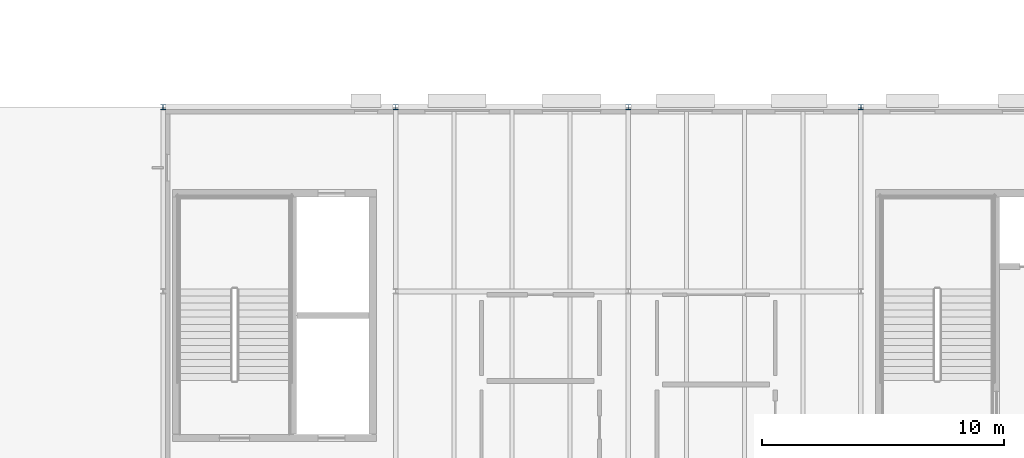
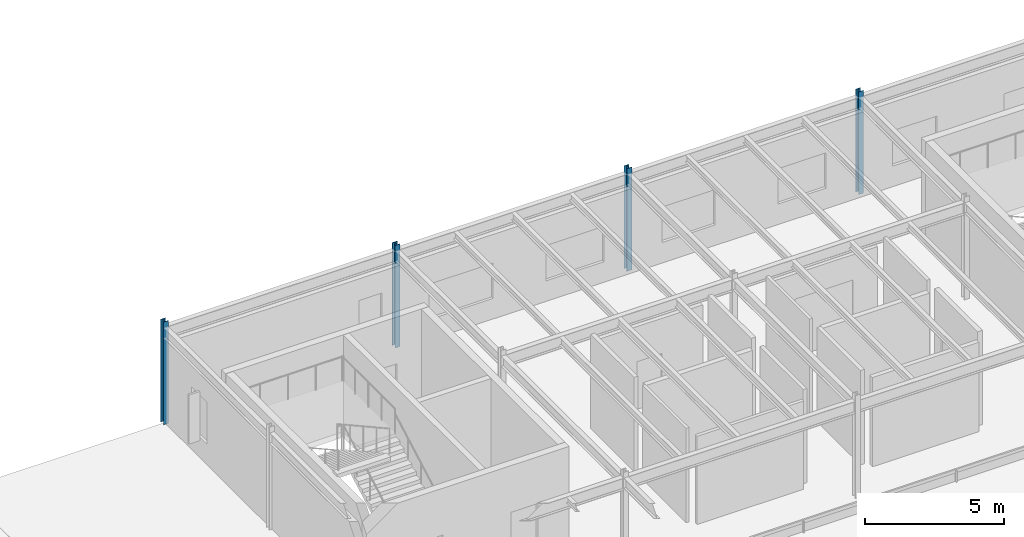
# One storey, part 4 of 50: 4 columns.
"""IFC4 building model written with IfcOpenShell, lengths in metres."""

import ifcopenshell
import ifcopenshell.guid

model = None  # the IFC model being written
_history = None  # IfcOwnerHistory: only IFC2X3 demands one
_inside = {}  # id of a spatial element -> (the spatial element, [elements in it])
_under = {}  # id of a project, library or spatial element -> (it, [spatial elements below it])
_declared = {}  # id of a project -> (the project, [libraries it declares])
_typed = {}  # id of a type object -> (the type object, [elements of that type])
_made_of = {}  # id of a material, layer set ... -> (it, [elements and type objects made of it])


def new_model(schema):
    """Start an empty IFC model of exactly this schema.

    Asked for "IFC4X3", IfcOpenShell would pick the latest addendum, in which some entities
    have other attributes; the version numbers below select the first issue.
    IFC2X3 requires an IfcOwnerHistory on every rooted entity: one is made here for all.
    """
    global model, _history
    if schema == "IFC4X3":
        model = ifcopenshell.file(schema_version=(4, 3, 0, 0))
    else:
        model = ifcopenshell.file(schema=schema)
    _inside.clear()
    _under.clear()
    _declared.clear()
    _typed.clear()
    _made_of.clear()
    _history = None
    if model.schema == "IFC2X3":
        org = make("IfcOrganization", Name="unknown")
        user = make(
            "IfcPersonAndOrganization",
            ThePerson=make("IfcPerson", FamilyName="unknown"),
            TheOrganization=org,
        )
        app = make(
            "IfcApplication",
            ApplicationDeveloper=org,
            Version="unknown",
            ApplicationFullName="unknown",
            ApplicationIdentifier="unknown",
        )
        _history = make(
            "IfcOwnerHistory",
            OwningUser=user,
            OwningApplication=app,
            ChangeAction="ADDED",
            CreationDate=0,
        )
    return model


def make(cls, **values):
    """One entity of the class cls with the attributes given. An attribute that is None is left unset."""
    return model.create_entity(
        cls, **{name: value for name, value in values.items() if value is not None}
    )


def rooted(cls, **values):
    """An entity with a GlobalId (a new one), such as an element, a storey or a relation."""
    return make(cls, GlobalId=ifcopenshell.guid.new(), OwnerHistory=_history, **values)


def si_unit(unit_type, name, prefix=None):
    """IfcSIUnit, for example si_unit("LENGTHUNIT", "METRE", prefix="MILLI")."""
    return make("IfcSIUnit", UnitType=unit_type, Prefix=prefix, Name=name)


def assignment(units):
    """IfcUnitAssignment: the units of a project."""
    return None if units is None else make("IfcUnitAssignment", Units=units)


def point(xyz):
    """IfcCartesianPoint."""
    return None if xyz is None else make("IfcCartesianPoint", Coordinates=xyz)


def direction(xyz):
    """IfcDirection."""
    return None if xyz is None else make("IfcDirection", DirectionRatios=xyz)


def frame(location, z_axis=None, x_axis=None):
    """IfcAxis2Placement3D, a coordinate frame: its origin and axes. An axis left out is left unset."""
    return make(
        "IfcAxis2Placement3D",
        Location=point(location),
        Axis=direction(z_axis),
        RefDirection=direction(x_axis),
    )


def frame_2d(location, x_axis=None):
    """IfcAxis2Placement2D, a coordinate frame in the plane: its origin and x axis."""
    return make(
        "IfcAxis2Placement2D", Location=point(location), RefDirection=direction(x_axis)
    )


def origin():
    """The frame at (0, 0, 0) with its axes left unset."""
    return frame((0.0, 0.0, 0.0))


def origin_2d():
    """The frame at (0, 0) in the plane with its x axis left unset."""
    return frame_2d((0.0, 0.0))


def place(relative_to, where):
    """IfcLocalPlacement: puts the frame where relative to a parent placement (None: the world)."""
    return make(
        "IfcLocalPlacement", PlacementRelTo=relative_to, RelativePlacement=where
    )


def context(
    kind, dimensions, precision=None, world=None, true_north=None, identifier=None
):
    """IfcGeometricRepresentationContext, for example the 3D "Model" context."""
    return make(
        "IfcGeometricRepresentationContext",
        ContextIdentifier=identifier,
        ContextType=kind,
        CoordinateSpaceDimension=dimensions,
        Precision=precision,
        WorldCoordinateSystem=world,
        TrueNorth=true_north,
    )


def subcontext(parent, identifier, kind, view, scale=None):
    """IfcGeometricRepresentationSubContext, for example "Body" below "Model"."""
    return make(
        "IfcGeometricRepresentationSubContext",
        ContextIdentifier=identifier,
        ContextType=kind,
        ParentContext=parent,
        TargetScale=scale,
        TargetView=view,
    )


def project(units=None, contexts=None):
    """IfcProject with its units and contexts."""
    return rooted(
        "IfcProject",
        Name="project",
        RepresentationContexts=contexts,
        UnitsInContext=assignment(units),
    )


def spatial(cls, under=None, at=None, **own):
    """A site, building, storey or space (cls), placed at a placement, below another one or the project."""
    s = rooted(cls, ObjectPlacement=at, **own)
    if under is not None:
        _under.setdefault(under.id(), (under, []))[1].append(s)
    return s


def profile(cls, at=None, kind="AREA", **sizes):
    """A parametric profile (cls). Its sizes go by their IFC names, for example OverallWidth=200.0."""
    return make(cls, ProfileType=kind, Position=at, **sizes)


def i_section(**sizes):
    """IfcIShapeProfileDef."""
    return profile("IfcIShapeProfileDef", **sizes)


def extrude(swept, where, along, depth):
    """IfcExtrudedAreaSolid: the profile swept, set in the frame where, extruded along a direction by depth."""
    return make(
        "IfcExtrudedAreaSolid",
        SweptArea=swept,
        Position=where,
        ExtrudedDirection=direction(along),
        Depth=depth,
    )


def shape(context_of_items, identifier, shape_type, items):
    """IfcShapeRepresentation: the items that make up one representation, for example the "Body"."""
    return make(
        "IfcShapeRepresentation",
        ContextOfItems=context_of_items,
        RepresentationIdentifier=identifier,
        RepresentationType=shape_type,
        Items=items,
    )


def material(Name=None, Category=None):
    """IfcMaterial."""
    return make("IfcMaterial", Name=Name, Category=Category)


def material_profile(
    of_material, cross_section, Name=None, Category=None, Priority=None
):
    """IfcMaterialProfile: a cross section and its material."""
    return make(
        "IfcMaterialProfile",
        Name=Name,
        Material=of_material,
        Profile=cross_section,
        Priority=Priority,
        Category=Category,
    )


def profile_set(profiles, Name=None, composite=None):
    """IfcMaterialProfileSet."""
    return make(
        "IfcMaterialProfileSet",
        Name=Name,
        MaterialProfiles=profiles,
        CompositeProfile=composite,
    )


def made_of(thing, what):
    """Note that an element or type object is made of a material, layer set ...; save() writes the relation."""
    if what is not None:
        _made_of.setdefault(what.id(), (what, []))[1].append(thing)
    return thing


def type_object(cls, material=None, **own):
    """A type object (cls), such as IfcWallType, which elements share."""
    return made_of(rooted(cls, **own), material)


def element(
    cls,
    number,
    at=None,
    inside=None,
    cuts=None,
    type_object=None,
    material=None,
    context=None,
    identifier="Body",
    shape_type=None,
    held_by="IfcProductDefinitionShape",
    body=None,
    shapes=None,
    **own,
):
    """One element of the class cls, such as IfcWall. Its Tag is "e" and its number.

    at: its placement. inside: the storey or other place that contains it. cuts: it is an
    opening in that element (IfcRelVoidsElement). A single representation is given by context,
    identifier, shape_type and body (its items); several are given by shapes. held_by: the class
    of the entity that holds the representations. save() writes the other relations.
    """
    e = rooted(cls, Tag="e%d" % number, ObjectPlacement=at, **own)
    if body is not None:
        shapes = [shape(context, identifier, shape_type, body)]
    if shapes is not None:
        e.Representation = make(held_by, Representations=shapes)
    if inside is not None:
        _inside.setdefault(inside.id(), (inside, []))[1].append(e)
    if cuts is not None:
        rooted(
            "IfcRelVoidsElement", RelatingBuildingElement=cuts, RelatedOpeningElement=e
        )
    if type_object is not None:
        _typed.setdefault(type_object.id(), (type_object, []))[1].append(e)
    return made_of(e, material)


def aggregate(whole, parts):
    """IfcRelAggregates: a whole, such as a stair, and the parts it consists of."""
    return rooted("IfcRelAggregates", RelatingObject=whole, RelatedObjects=parts)


def save(model, path):
    """Write the relations noted so far, then the file.

    IfcRelAggregates (storeys below a building ...), IfcRelContainedInSpatialStructure (elements
    in a storey), IfcRelDefinesByType, IfcRelAssociatesMaterial and IfcRelDeclares: one each for
    every whole, place, type object, material and project.
    """
    for whole, parts in _under.values():
        aggregate(whole, parts)
    for where, things in _inside.values():
        rooted(
            "IfcRelContainedInSpatialStructure",
            RelatedElements=things,
            RelatingStructure=where,
        )
    for kind, things in _typed.values():
        rooted("IfcRelDefinesByType", RelatedObjects=things, RelatingType=kind)
    for what, things in _made_of.values():
        rooted("IfcRelAssociatesMaterial", RelatedObjects=things, RelatingMaterial=what)
    for by, libraries in _declared.values():
        rooted("IfcRelDeclares", RelatingContext=by, RelatedDefinitions=libraries)
    model.write(path)


model = new_model("IFC4")

# Units and contexts
model_context = context("Model", 3, precision=1e-05, world=origin(), true_north=direction((0.0, 1.0)))
body_context = subcontext(model_context, "Body", "Model", "MODEL_VIEW")
ifc_project = project(units=[si_unit("LENGTHUNIT", "METRE"), si_unit("AREAUNIT", "SQUARE_METRE"), si_unit("VOLUMEUNIT", "CUBIC_METRE"), si_unit("PLANEANGLEUNIT", "RADIAN"), si_unit("MASSUNIT", "GRAM", prefix="KILO")], contexts=[model_context])

# Site, building, storey
site_placement = place(None, origin())
site = spatial("IfcSite", under=ifc_project, at=site_placement, CompositionType="ELEMENT")
building_placement = place(site_placement, origin())
building = spatial("IfcBuilding", under=site, at=building_placement, Name="Sarnbrook Museum", CompositionType="ELEMENT")
storey_placement = place(building_placement, frame((0.0, 0.0, 28.10009765625)))
storey = spatial("IfcBuildingStorey", under=building, at=storey_placement, Name="L05", CompositionType="ELEMENT", Elevation=28.10009765625)

# Columns
ifc_material = material(Name="Structural Steel Grade 300PLUS (AS/NZS 3679.1, fy = 280 MPa for 17 < t <= 40 mm, 300 MPa for t <= 17 mm)", Category="steel")
ifc_material_profile = material_profile(ifc_material, i_section(OverallWidth=0.205078125, OverallDepth=0.2099609375, WebThickness=0.00927734375, FlangeThickness=0.01416015625, FilletRadius=0.01025390625, at=origin_2d()), Name="200UC59.5")
ifc_profile_set = profile_set([ifc_material_profile], Name="Structural Steel Grade 300PLUS (AS/NZS 3679.1, fy = 280 MPa for 17 < t <= 40 mm, 300 MPa for t <= 17 mm)")
column_type = type_object("IfcColumnType", Name="COL-UC200", PredefinedType="COLUMN", material=ifc_profile_set)
for number, where, z_axis, x_axis, name in (
    (1, (90.39990234375, 108.39990234375, 0.0), (0.0, 0.0, 1.0), (1.0, 0.0, 0.0), "Column 10-N L05"),
    (2, (100.0, 108.39990234375, 0.0), (0.0, 0.0, 1.0), (1.0, 0.0, 0.0), "Column 11-N L05"),
    (3, (109.60009765625, 108.39990234375, 0.0), (0.0, 0.0, 1.0), (1.0, 0.0, 0.0), "Column 12-N L05"),
    (4, (80.800048828125, 108.39990234375, 0.0), (0.0, 0.0, 1.0), (1.0, 0.0, 0.0), "Column 9-N L05"),
):
    element("IfcColumn", number, at=place(storey_placement, frame(where, z_axis=z_axis, x_axis=x_axis)), inside=storey, type_object=column_type, Name=name, PredefinedType="COLUMN", context=body_context, shape_type="SweptSolid", body=[
        extrude(i_section(OverallWidth=0.205078125, OverallDepth=0.2099609375, WebThickness=0.00927734375, FlangeThickness=0.01416015625, FilletRadius=0.01025390625, at=origin_2d()), origin(), (0.0, 0.0, 1.0), 4.5),
    ])

save(model, "model.ifc")
